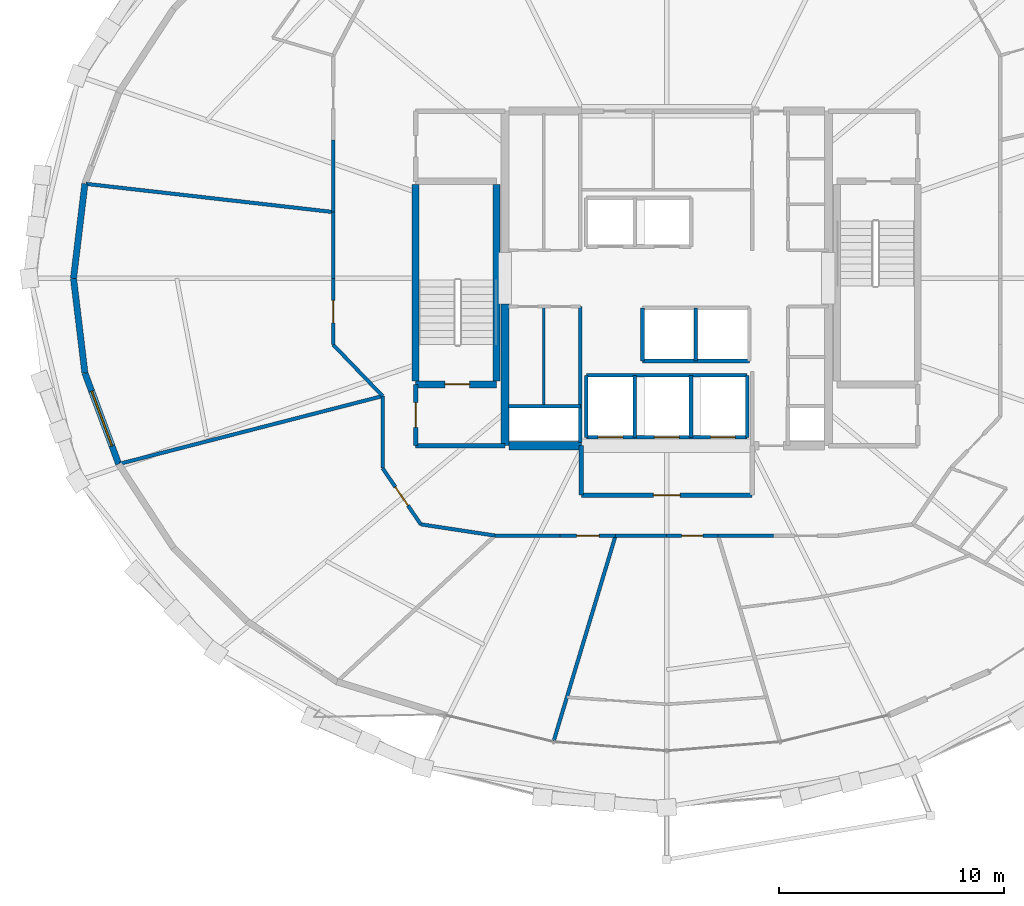
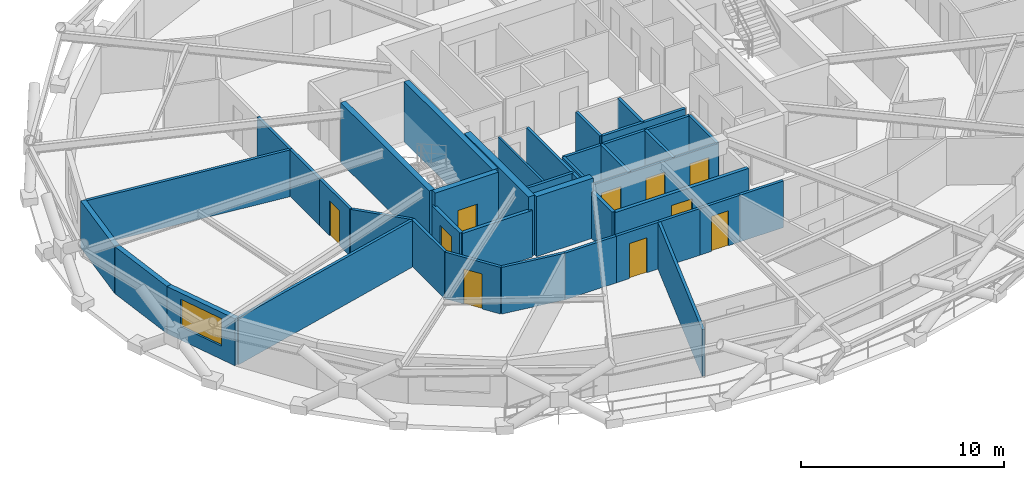
# One storey, part 15 of 22: 39 walls, 10 doors, 1 window, 11 openings.
"""IFC4 building model written with IfcOpenShell, lengths in metres."""

from ifc_helpers import new_model, si_unit, direction, frame, frame_2d, origin, place, context, subcontext, project, spatial, rectangle, extrude, material, layer, layer_set, type_object, element, fill, save


model = new_model("IFC4")

# Units and contexts
model_context = context("Model", 3, precision=1e-05, world=origin(), true_north=direction((0.0, 1.0)))
body_context = subcontext(model_context, "Body", "Model", "MODEL_VIEW")
ifc_project = project(units=[si_unit("LENGTHUNIT", "METRE"), si_unit("AREAUNIT", "SQUARE_METRE"), si_unit("VOLUMEUNIT", "CUBIC_METRE"), si_unit("PLANEANGLEUNIT", "RADIAN"), si_unit("MASSUNIT", "GRAM", prefix="KILO")], contexts=[model_context])

# Site, building, storey
site_placement = place(None, origin())
site = spatial("IfcSite", under=ifc_project, at=site_placement, CompositionType="ELEMENT")
building_placement = place(site_placement, origin())
building = spatial("IfcBuilding", under=site, at=building_placement, Name="Veldorina Hangang Commons", CompositionType="ELEMENT")
storey_placement = place(building_placement, frame((0.0, 0.0, 146.0)))
storey = spatial("IfcBuildingStorey", under=building, at=storey_placement, Name="L37", CompositionType="ELEMENT", Elevation=146.0)

# Walls
ifc_material_1 = material(Name="Concrete C60/75", Category="concrete")
ifc_layer_1 = layer(ifc_material_1, 0.360107421875)
ifc_layer_set_1 = layer_set([ifc_layer_1], Name="Concrete C60/75")
wall_type_1 = type_object("IfcWallType", Name="CW-RC360-C60", PredefinedType="SHEAR", material=ifc_layer_set_1)
wall_1_placement = place(storey_placement, frame((24.800048828125, 16.550048828125, 0.0), z_axis=(0.0, 0.0, 1.0), x_axis=(0.0, 1.0, 0.0)))
element("IfcWall", 1, at=wall_1_placement, inside=storey, type_object=wall_type_1, Name="L37 W south core shear wall", PredefinedType="SHEAR", context=body_context, shape_type="SweptSolid", body=[
    extrude(rectangle(XDim=6.300048828125, YDim=0.360107421875, at=frame_2d((3.14990234375, 0.0))), origin(), (0.0, 0.0, 1.0), 3.60009765625),
])
wall_2_placement = place(storey_placement, frame((24.97998046875, 16.550048828125, 0.0), z_axis=(0.0, 0.0, 1.0), x_axis=(1.0, 0.0, 0.0)))
element("IfcWall", 2, at=wall_2_placement, inside=storey, type_object=wall_type_1, Name="L37 south-west core shear wall", PredefinedType="SHEAR", context=body_context, shape_type="SweptSolid", body=[
    extrude(rectangle(XDim=3.219970703125, YDim=0.360107421875, at=frame_2d((1.60986328125, 0.0))), origin(), (0.0, 0.0, 1.0), 3.60009765625),
])
ifc_material_2 = material(Name="Stone Roman Travertine", Category="masonry")
ifc_layer_2 = layer(ifc_material_2, 0.280029296875)
ifc_layer_set_2 = layer_set([ifc_layer_2], Name="Stone Roman Travertine")
wall_type_2 = type_object("IfcWallType", Name="EW-TRAV-280", PredefinedType="STANDARD", material=ifc_layer_set_2)
for number, where, z_axis, x_axis, name in (
    (3, (6.096923828125, 28.2138671875, 0.0), (0.0, 0.0, 1.0), (-0.119530808936, -0.992830491935, 0.0), "L37 travertine facade wall 15"),
    (4, (5.589599609375, 24.0, 0.0), (0.0, 0.0, 1.0), (0.119530808936, -0.992830491935, 0.0), "L37 travertine facade wall 16"),
):
    element("IfcWall", number, at=place(storey_placement, frame(where, z_axis=z_axis, x_axis=x_axis)), inside=storey, type_object=wall_type_2, Name=name, PredefinedType="STANDARD", context=body_context, shape_type="SweptSolid", body=[
        extrude(rectangle(XDim=4.244384765625, YDim=0.280029296875, at=frame_2d((2.1220703125, 0.0))), origin(), (0.0, 0.0, 1.0), 2.820068359375),
    ])

# Wall, opening, window
wall_3_placement = place(storey_placement, frame((6.096923828125, 19.7861328125, 0.0), z_axis=(0.0, 0.0, 1.0), x_axis=(0.347777987911, -0.937576914778, 0.0)))
wall_3 = element("IfcWall", 5, at=wall_3_placement, inside=storey, type_object=wall_type_2, Name="L37 travertine facade wall 17", PredefinedType="STANDARD", context=body_context, shape_type="SweptSolid", body=[
    extrude(rectangle(XDim=4.321533203125, YDim=0.280029296875, at=frame_2d((2.16064453125, 0.0))), origin(), (0.0, 0.0, 1.0), 2.820068359375),
])
opening_1_placement = place(wall_3_placement, frame((0.86083984375, 0.0, 0.800048828125)))
opening_1 = element("IfcOpeningElement", 6, at=opening_1_placement, cuts=wall_3, Name="Opening W-02", PredefinedType="OPENING", context=body_context, shape_type="SweptSolid", body=[
    extrude(rectangle(XDim=2.60009765625, YDim=1.64990234375, at=frame_2d((1.300048828125, 0.824951171875))), frame((0.0, 0.14990234375, 0.0), z_axis=(0.0, -1.0, 0.0), x_axis=(1.0, 0.0, 0.0)), (0.0, 0.0, 1.0), 0.300048828125),
])
ifc_material_3 = material(Name="Glass Low-E Triple IGU", Category="glass")
window_type = type_object("IfcWindowType", Name="WIN-TWR-2600", PartitioningType="SINGLE_PANEL", PredefinedType="WINDOW", material=ifc_material_3)
window_placement = place(opening_1_placement, origin())
window = element("IfcWindow", 7, at=window_placement, inside=storey, type_object=window_type, Name="L37 facade window 17", OverallHeight=1.64990234375, OverallWidth=2.60009765625, PartitioningType="SINGLE_PANEL", PredefinedType="WINDOW", context=body_context, shape_type="SweptSolid", body=[
    extrude(rectangle(XDim=2.60009765625, YDim=1.64990234375, at=frame_2d((1.300048828125, 0.824951171875))), frame((0.0, 0.030029296875, 0.0), z_axis=(0.0, -1.0, 0.0), x_axis=(1.0, 0.0, 0.0)), (0.0, 0.0, 1.0), 0.06005859375),
])
fill(opening_1, window)

# Walls
ifc_material_4 = material(Name="Concrete C50/60", Category="concrete")
ifc_layer_3 = layer(ifc_material_4, 0.300048828125)
ifc_layer_set_3 = layer_set([ifc_layer_3], Name="Concrete C50/60")
wall_type_3 = type_object("IfcWallType", Name="SW-STAIR-300", PredefinedType="SHEAR", material=ifc_layer_set_3)
for number, where, z_axis, x_axis, name in (
    (8, (20.820068359375, 19.429931640625, 0.0), (0.0, 0.0, 1.0), (0.0, 1.0, 0.0), "L37 ST1 outer stair shear wall"),
    (9, (24.419921875, 19.429931640625, 0.0), (0.0, 0.0, 1.0), (0.0, 1.0, 0.0), "L37 ST1 inner stair shear wall"),
):
    element("IfcWall", number, at=place(storey_placement, frame(where, z_axis=z_axis, x_axis=x_axis)), inside=storey, type_object=wall_type_3, Name=name, PredefinedType="SHEAR", context=body_context, shape_type="SweptSolid", body=[
        extrude(rectangle(XDim=8.739990234375, YDim=0.300048828125, at=frame_2d((4.3701171875, 0.0))), origin(), (0.0, 0.0, 1.0), 3.60009765625),
    ])

# Wall, opening, door
wall_4_placement = place(storey_placement, frame((20.820068359375, 19.280029296875, 0.0), z_axis=(0.0, 0.0, 1.0), x_axis=(1.0, 0.0, 0.0)))
wall_4 = element("IfcWall", 10, at=wall_4_placement, inside=storey, type_object=wall_type_3, Name="L37 ST1 south stair shear wall", PredefinedType="SHEAR", context=body_context, shape_type="SweptSolid", body=[
    extrude(rectangle(XDim=3.599853515625, YDim=0.300048828125, at=frame_2d((1.7998046875, 0.0))), origin(), (0.0, 0.0, 1.0), 3.60009765625),
])
opening_2_placement = place(wall_4_placement, frame((1.300048828125, 0.0, 0.0)))
opening_2 = element("IfcOpeningElement", 11, at=opening_2_placement, cuts=wall_4, Name="Opening D-08", PredefinedType="OPENING", context=body_context, shape_type="SweptSolid", body=[
    extrude(rectangle(XDim=1.10009765625, YDim=2.10009765625, at=frame_2d((0.550048828125, 1.050048828125))), frame((0.0, 0.16015625, 0.0), z_axis=(0.0, -1.0, 0.0), x_axis=(1.0, 0.0, 0.0)), (0.0, 0.0, 1.0), 0.320068359375),
])
ifc_material_5 = material(Name="Steel Fire-Rated Smoke Seal", Category="steel")
door_type_1 = type_object("IfcDoorType", Name="DR-FIRE-1100", OperationType="SINGLE_SWING_RIGHT", PredefinedType="DOOR", material=ifc_material_5)
door_1_placement = place(opening_2_placement, origin())
door_1 = element("IfcDoor", 12, at=door_1_placement, inside=storey, type_object=door_type_1, Name="L37 Special Escape Stair ST-1 door", OperationType="SINGLE_SWING_LEFT", OverallHeight=2.10009765625, OverallWidth=1.10009765625, PredefinedType="DOOR", context=body_context, shape_type="SweptSolid", body=[
    extrude(rectangle(XDim=1.10009765625, YDim=2.10009765625, at=frame_2d((0.550048828125, 1.050048828125))), frame((0.0, 0.02490234375, 0.0), z_axis=(0.0, -1.0, 0.0), x_axis=(1.0, 0.0, 0.0)), (0.0, 0.0, 1.0), 0.050048828125),
])
fill(opening_2, door_1)

# Walls
ifc_material_6 = material(Name="Gypsum Fire-Rated Twin Stud Wall", Category="gypsum")
ifc_layer_4 = layer(ifc_material_6, 0.159912109375)
ifc_layer_set_4 = layer_set([ifc_layer_4], Name="Gypsum Fire-Rated Twin Stud Wall")
wall_type_4 = type_object("IfcWallType", Name="WL-FIRE-160", PredefinedType="SOLIDWALL", material=ifc_layer_set_4)
wall_5_placement = place(storey_placement, frame((30.919921875, 20.320068359375, 0.0), z_axis=(0.0, 0.0, 1.0), x_axis=(1.0, 0.0, 0.0)))
element("IfcWall", 13, at=wall_5_placement, inside=storey, type_object=wall_type_4, Name="L37 Shuttle-high rear shaft wall 021", PredefinedType="SOLIDWALL", context=body_context, shape_type="SweptSolid", body=[
    extrude(rectangle(XDim=4.760009765625, YDim=0.159912109375, at=frame_2d((2.3798828125, 0.0))), origin(), (0.0, 0.0, 1.0), 2.800048828125),
])
for number, where, z_axis, x_axis, name in (
    (14, (30.919921875, 20.320068359375, 0.0), (0.0, 0.0, 1.0), (0.0, 1.0, 0.0), "L37 SL-1 west shaft wall 022"),
    (15, (33.300048828125, 20.320068359375, 0.0), (0.0, 0.0, 1.0), (0.0, 1.0, 0.0), "L37 SL-1 east shaft wall 023"),
):
    element("IfcWall", number, at=place(storey_placement, frame(where, z_axis=z_axis, x_axis=x_axis)), inside=storey, type_object=wall_type_4, Name=name, PredefinedType="SOLIDWALL", context=body_context, shape_type="SweptSolid", body=[
        extrude(rectangle(XDim=2.35986328125, YDim=0.159912109375, at=frame_2d((1.179931640625, 0.0))), origin(), (0.0, 0.0, 1.0), 2.800048828125),
    ])

# Wall, openings, doors
wall_6_placement = place(storey_placement, frame((28.419921875, 16.919921875, 0.0), z_axis=(0.0, 0.0, 1.0), x_axis=(1.0, 0.0, 0.0)))
wall_6 = element("IfcWall", 16, at=wall_6_placement, inside=storey, type_object=wall_type_4, Name="L37 Emergency front shaft wall 025", PredefinedType="SOLIDWALL", context=body_context, shape_type="SweptSolid", body=[
    extrude(rectangle(XDim=7.16015625, YDim=0.159912109375, at=frame_2d((3.580078125, 0.0))), origin(), (0.0, 0.0, 1.0), 2.800048828125),
])
opening_3_placement = place(wall_6_placement, frame((0.530029296875, 0.0, 0.0)))
opening_3 = element("IfcOpeningElement", 17, at=opening_3_placement, cuts=wall_6, Name="Opening LD-03", PredefinedType="OPENING", context=body_context, shape_type="SweptSolid", body=[
    extrude(rectangle(XDim=1.10009765625, YDim=2.14990234375, at=frame_2d((0.550048828125, 1.074951171875))), frame((0.0, 0.08984375, 0.0), z_axis=(0.0, -1.0, 0.0), x_axis=(1.0, 0.0, 0.0)), (0.0, 0.0, 1.0), 0.179931640625),
])
opening_4_placement = place(wall_6_placement, frame((3.030029296875, 0.0, 0.0)))
opening_4 = element("IfcOpeningElement", 18, at=opening_4_placement, cuts=wall_6, Name="Opening LD-03", PredefinedType="OPENING", context=body_context, shape_type="SweptSolid", body=[
    extrude(rectangle(XDim=1.10009765625, YDim=2.14990234375, at=frame_2d((0.550048828125, 1.074951171875))), frame((0.0, 0.08984375, 0.0), z_axis=(0.0, -1.0, 0.0), x_axis=(1.0, 0.0, 0.0)), (0.0, 0.0, 1.0), 0.179931640625),
])
opening_5_placement = place(wall_6_placement, frame((5.530029296875, 0.0, 0.0)))
opening_5 = element("IfcOpeningElement", 19, at=opening_5_placement, cuts=wall_6, Name="Opening LD-03", PredefinedType="OPENING", context=body_context, shape_type="SweptSolid", body=[
    extrude(rectangle(XDim=1.10009765625, YDim=2.14990234375, at=frame_2d((0.550048828125, 1.074951171875))), frame((0.0, 0.08984375, 0.0), z_axis=(0.0, -1.0, 0.0), x_axis=(1.0, 0.0, 0.0)), (0.0, 0.0, 1.0), 0.179931640625),
])
ifc_material_7 = material(Name="Stainless Steel Firefighting Lift Door", Category="steel")
door_type_2 = type_object("IfcDoorType", Name="DR-LIFT-FF1100", OperationType="SLIDING_TO_RIGHT", PredefinedType="DOOR", material=ifc_material_7)
door_2_placement = place(opening_3_placement, origin())
door_2 = element("IfcDoor", 20, at=door_2_placement, inside=storey, type_object=door_type_2, Name="L37 Emergency lift FFL-1 landing door 008", OperationType="SLIDING_TO_RIGHT", OverallHeight=2.14990234375, OverallWidth=1.10009765625, PredefinedType="DOOR", context=body_context, shape_type="SweptSolid", body=[
    extrude(rectangle(XDim=1.10009765625, YDim=2.14990234375, at=frame_2d((0.550048828125, 1.074951171875))), frame((0.0, 0.02490234375, 0.0), z_axis=(0.0, -1.0, 0.0), x_axis=(1.0, 0.0, 0.0)), (0.0, 0.0, 1.0), 0.050048828125),
])
fill(opening_3, door_2)
door_3_placement = place(opening_4_placement, origin())
door_3 = element("IfcDoor", 21, at=door_3_placement, inside=storey, type_object=door_type_2, Name="L37 Emergency lift FFL-2 landing door 009", OperationType="SLIDING_TO_RIGHT", OverallHeight=2.14990234375, OverallWidth=1.10009765625, PredefinedType="DOOR", context=body_context, shape_type="SweptSolid", body=[
    extrude(rectangle(XDim=1.10009765625, YDim=2.14990234375, at=frame_2d((0.550048828125, 1.074951171875))), frame((0.0, 0.02490234375, 0.0), z_axis=(0.0, -1.0, 0.0), x_axis=(1.0, 0.0, 0.0)), (0.0, 0.0, 1.0), 0.050048828125),
])
fill(opening_4, door_3)
door_4_placement = place(opening_5_placement, origin())
door_4 = element("IfcDoor", 22, at=door_4_placement, inside=storey, type_object=door_type_2, Name="L37 Emergency lift EVL-1 landing door 010", OperationType="SLIDING_TO_RIGHT", OverallHeight=2.14990234375, OverallWidth=1.10009765625, PredefinedType="DOOR", context=body_context, shape_type="SweptSolid", body=[
    extrude(rectangle(XDim=1.10009765625, YDim=2.14990234375, at=frame_2d((0.550048828125, 1.074951171875))), frame((0.0, 0.02490234375, 0.0), z_axis=(0.0, -1.0, 0.0), x_axis=(1.0, 0.0, 0.0)), (0.0, 0.0, 1.0), 0.050048828125),
])
fill(opening_5, door_4)

# Walls
wall_7_placement = place(storey_placement, frame((28.419921875, 19.679931640625, 0.0), z_axis=(0.0, 0.0, 1.0), x_axis=(1.0, 0.0, 0.0)))
element("IfcWall", 23, at=wall_7_placement, inside=storey, type_object=wall_type_4, Name="L37 Emergency rear shaft wall 026", PredefinedType="SOLIDWALL", context=body_context, shape_type="SweptSolid", body=[
    extrude(rectangle(XDim=7.16015625, YDim=0.159912109375, at=frame_2d((3.580078125, 0.0))), origin(), (0.0, 0.0, 1.0), 2.800048828125),
])
for number, where, z_axis, x_axis, name in (
    (24, (28.419921875, 16.919921875, 0.0), (0.0, 0.0, 1.0), (0.0, 1.0, 0.0), "L37 FFL-1 west shaft wall 027"),
    (25, (30.580078125, 16.919921875, 0.0), (0.0, 0.0, 1.0), (0.0, 1.0, 0.0), "L37 FFL-1 east shaft wall 028"),
    (26, (33.080078125, 16.919921875, 0.0), (0.0, 0.0, 1.0), (0.0, 1.0, 0.0), "L37 FFL-2 east shaft wall 029"),
    (27, (35.580078125, 16.919921875, 0.0), (0.0, 0.0, 1.0), (0.0, 1.0, 0.0), "L37 EVL-1 east shaft wall 030"),
):
    element("IfcWall", number, at=place(storey_placement, frame(where, z_axis=z_axis, x_axis=x_axis)), inside=storey, type_object=wall_type_4, Name=name, PredefinedType="SOLIDWALL", context=body_context, shape_type="SweptSolid", body=[
        extrude(rectangle(XDim=2.760009765625, YDim=0.159912109375, at=frame_2d((1.3798828125, 0.0))), origin(), (0.0, 0.0, 1.0), 2.800048828125),
    ])
wall_8_placement = place(storey_placement, frame((24.949951171875, 18.300048828125, 0.0), z_axis=(0.0, 0.0, 1.0), x_axis=(1.0, 0.0, 0.0)))
element("IfcWall", 28, at=wall_8_placement, inside=storey, type_object=wall_type_4, Name="L37 Electrical riser wall 035", PredefinedType="SOLIDWALL", context=body_context, shape_type="SweptSolid", body=[
    extrude(rectangle(XDim=3.199951171875, YDim=0.159912109375, at=frame_2d((1.60009765625, 0.0))), origin(), (0.0, 0.0, 1.0), 2.800048828125),
])
wall_9_placement = place(storey_placement, frame((28.14990234375, 16.699951171875, 0.0), z_axis=(0.0, 0.0, 1.0), x_axis=(0.0, 1.0, 0.0)))
element("IfcWall", 29, at=wall_9_placement, inside=storey, type_object=wall_type_4, Name="L37 SW core inner wall 036", PredefinedType="SOLIDWALL", context=body_context, shape_type="SweptSolid", body=[
    extrude(rectangle(XDim=6.050048828125, YDim=0.159912109375, at=frame_2d((3.02490234375, 0.0))), origin(), (0.0, 0.0, 1.0), 2.800048828125),
])
wall_10_placement = place(storey_placement, frame((17.14990234375, 30.151123046875, 0.0), z_axis=(0.0, 0.0, 1.0), x_axis=(0.0, -1.0, 0.0)))
element("IfcWall", 30, at=wall_10_placement, inside=storey, type_object=wall_type_4, Name="L37 U-corridor outer wall 14 064", PredefinedType="SOLIDWALL", context=body_context, shape_type="SweptSolid", body=[
    extrude(rectangle(XDim=3.197265625, YDim=0.159912109375, at=frame_2d((1.5986328125, 0.0))), origin(), (0.0, 0.0, 1.0), 2.800048828125),
])
wall_11_placement = place(storey_placement, frame((17.14990234375, 26.953857421875, 0.0), z_axis=(0.0, 0.0, 1.0), x_axis=(0.0, -1.0, 0.0)))
element("IfcWall", 31, at=wall_11_placement, inside=storey, type_object=wall_type_4, Name="L37 U-corridor outer wall 15 065", PredefinedType="SOLIDWALL", context=body_context, shape_type="SweptSolid", body=[
    extrude(rectangle(XDim=2.953857421875, YDim=0.159912109375, at=frame_2d((1.47705078125, 0.0))), origin(), (0.0, 0.0, 1.0), 2.800048828125),
])

# Wall, opening, door
wall_12_placement = place(storey_placement, frame((17.14990234375, 24.0, 0.0), z_axis=(0.0, 0.0, 1.0), x_axis=(0.0, -1.0, 0.0)))
wall_12 = element("IfcWall", 32, at=wall_12_placement, inside=storey, type_object=wall_type_4, Name="L37 U-corridor outer wall 16 066", PredefinedType="SOLIDWALL", context=body_context, shape_type="SweptSolid", body=[
    extrude(rectangle(XDim=2.953857421875, YDim=0.159912109375, at=frame_2d((1.47705078125, 0.0))), origin(), (0.0, 0.0, 1.0), 2.800048828125),
])
opening_6_placement = place(wall_12_placement, frame((0.976806640625, 0.0, 0.0)))
opening_6 = element("IfcOpeningElement", 33, at=opening_6_placement, cuts=wall_12, Name="Opening D-05", PredefinedType="OPENING", context=body_context, shape_type="SweptSolid", body=[
    extrude(rectangle(XDim=1.0, YDim=2.10009765625, at=frame_2d((0.5, 1.050048828125))), frame((0.0, 0.08984375, 0.0), z_axis=(0.0, -1.0, 0.0), x_axis=(1.0, 0.0, 0.0)), (0.0, 0.0, 1.0), 0.179931640625),
])
ifc_material_8 = material(Name="Timber Solid Core Acoustic", Category="wood")
door_type_3 = type_object("IfcDoorType", Name="DR-INT-1000", OperationType="SINGLE_SWING_RIGHT", PredefinedType="DOOR", material=ifc_material_8)
door_5_placement = place(opening_6_placement, origin())
door_5 = element("IfcDoor", 34, at=door_5_placement, inside=storey, type_object=door_type_3, Name="L37 Floor Study Room 7 door 043", OperationType="SINGLE_SWING_LEFT", OverallHeight=2.10009765625, OverallWidth=1.0, PredefinedType="DOOR", context=body_context, shape_type="SweptSolid", body=[
    extrude(rectangle(XDim=1.0, YDim=2.10009765625, at=frame_2d((0.5, 1.050048828125))), frame((0.0, 0.02490234375, 0.0), z_axis=(0.0, -1.0, 0.0), x_axis=(1.0, 0.0, 0.0)), (0.0, 0.0, 1.0), 0.050048828125),
])
fill(opening_6, door_5)

# Walls
wall_13_placement = place(storey_placement, frame((17.14990234375, 21.046142578125, 0.0), z_axis=(0.0, 0.0, 1.0), x_axis=(0.693473090138, -0.72048252807, 0.0)))
element("IfcWall", 35, at=wall_13_placement, inside=storey, type_object=wall_type_4, Name="L37 U-corridor outer wall 17 067", PredefinedType="SOLIDWALL", context=body_context, shape_type="SweptSolid", body=[
    extrude(rectangle(XDim=3.172607421875, YDim=0.159912109375, at=frame_2d((1.58642578125, 0.0))), origin(), (0.0, 0.0, 1.0), 2.800048828125),
])
wall_14_placement = place(storey_placement, frame((19.35009765625, 18.76025390625, 0.0), z_axis=(0.0, 0.0, 1.0), x_axis=(0.0, -1.0, 0.0)))
element("IfcWall", 36, at=wall_14_placement, inside=storey, type_object=wall_type_4, Name="L37 U-corridor outer wall 18 068", PredefinedType="SOLIDWALL", context=body_context, shape_type="SweptSolid", body=[
    extrude(rectangle(XDim=3.212646484375, YDim=0.159912109375, at=frame_2d((1.6064453125, 0.0))), origin(), (0.0, 0.0, 1.0), 2.800048828125),
])

# Wall, opening, door
wall_15_placement = place(storey_placement, frame((19.35009765625, 15.547607421875, 0.0), z_axis=(0.0, 0.0, 1.0), x_axis=(0.562674669208, -0.826678423955, 0.0)))
wall_15 = element("IfcWall", 37, at=wall_15_placement, inside=storey, type_object=wall_type_4, Name="L37 U-corridor outer wall 19 069", PredefinedType="SOLIDWALL", context=body_context, shape_type="SweptSolid", body=[
    extrude(rectangle(XDim=3.021240234375, YDim=0.159912109375, at=frame_2d((1.5107421875, 0.0))), origin(), (0.0, 0.0, 1.0), 2.800048828125),
])
opening_7_placement = place(wall_15_placement, frame((1.010498046875, 0.0, 0.0)))
opening_7 = element("IfcOpeningElement", 38, at=opening_7_placement, cuts=wall_15, Name="Opening D-05", PredefinedType="OPENING", context=body_context, shape_type="SweptSolid", body=[
    extrude(rectangle(XDim=1.0, YDim=2.10009765625, at=frame_2d((0.5, 1.050048828125))), frame((0.0, 0.08984375, 0.0), z_axis=(0.0, -1.0, 0.0), x_axis=(1.0, 0.0, 0.0)), (0.0, 0.0, 1.0), 0.179931640625),
])
door_6_placement = place(opening_7_placement, origin())
door_6 = element("IfcDoor", 39, at=door_6_placement, inside=storey, type_object=door_type_3, Name="L37 Seminar Focus Room 8 door 044", OperationType="SINGLE_SWING_RIGHT", OverallHeight=2.10009765625, OverallWidth=1.0, PredefinedType="DOOR", context=body_context, shape_type="SweptSolid", body=[
    extrude(rectangle(XDim=1.0, YDim=2.10009765625, at=frame_2d((0.5, 1.050048828125))), frame((0.0, 0.02490234375, 0.0), z_axis=(0.0, -1.0, 0.0), x_axis=(1.0, 0.0, 0.0)), (0.0, 0.0, 1.0), 0.050048828125),
])
fill(opening_7, door_6)

# Walls
wall_16_placement = place(storey_placement, frame((21.050048828125, 13.050048828125, 0.0), z_axis=(0.0, 0.0, 1.0), x_axis=(0.988710906508, -0.149835721217, 0.0)))
element("IfcWall", 40, at=wall_16_placement, inside=storey, type_object=wall_type_4, Name="L37 U-corridor outer wall 20 070", PredefinedType="SOLIDWALL", context=body_context, shape_type="SweptSolid", body=[
    extrude(rectangle(XDim=3.3369140625, YDim=0.159912109375, at=frame_2d((1.66845703125, 0.0))), origin(), (0.0, 0.0, 1.0), 2.800048828125),
])
wall_17_placement = place(storey_placement, frame((24.349365234375, 12.550048828125, 0.0), z_axis=(0.0, 0.0, 1.0), x_axis=(1.0, 0.0, 0.0)))
element("IfcWall", 41, at=wall_17_placement, inside=storey, type_object=wall_type_4, Name="L37 U-corridor outer wall 21 071", PredefinedType="SOLIDWALL", context=body_context, shape_type="SweptSolid", body=[
    extrude(rectangle(XDim=2.907958984375, YDim=0.159912109375, at=frame_2d((1.4541015625, 0.0))), origin(), (0.0, 0.0, 1.0), 2.800048828125),
])

# Wall, opening, door
wall_18_placement = place(storey_placement, frame((27.25732421875, 12.550048828125, 0.0), z_axis=(0.0, 0.0, 1.0), x_axis=(1.0, 0.0, 0.0)))
wall_18 = element("IfcWall", 42, at=wall_18_placement, inside=storey, type_object=wall_type_4, Name="L37 U-corridor outer wall 22 072", PredefinedType="SOLIDWALL", context=body_context, shape_type="SweptSolid", body=[
    extrude(rectangle(XDim=2.465087890625, YDim=0.159912109375, at=frame_2d((1.232421875, 0.0))), origin(), (0.0, 0.0, 1.0), 2.800048828125),
])
opening_8_placement = place(wall_18_placement, frame((0.732666015625, 0.0, 0.0)))
opening_8 = element("IfcOpeningElement", 43, at=opening_8_placement, cuts=wall_18, Name="Opening D-05", PredefinedType="OPENING", context=body_context, shape_type="SweptSolid", body=[
    extrude(rectangle(XDim=1.0, YDim=2.10009765625, at=frame_2d((0.5, 1.050048828125))), frame((0.0, 0.08984375, 0.0), z_axis=(0.0, -1.0, 0.0), x_axis=(1.0, 0.0, 0.0)), (0.0, 0.0, 1.0), 0.179931640625),
])
door_7_placement = place(opening_8_placement, origin())
door_7 = element("IfcDoor", 44, at=door_7_placement, inside=storey, type_object=door_type_3, Name="L37 Seminar Focus Room 9 door 045", OperationType="SINGLE_SWING_LEFT", OverallHeight=2.10009765625, OverallWidth=1.0, PredefinedType="DOOR", context=body_context, shape_type="SweptSolid", body=[
    extrude(rectangle(XDim=1.0, YDim=2.10009765625, at=frame_2d((0.5, 1.050048828125))), frame((0.0, 0.02490234375, 0.0), z_axis=(0.0, -1.0, 0.0), x_axis=(1.0, 0.0, 0.0)), (0.0, 0.0, 1.0), 0.050048828125),
])
fill(opening_8, door_7)

# Wall
wall_19_placement = place(storey_placement, frame((29.722412109375, 12.550048828125, 0.0), z_axis=(0.0, 0.0, 1.0), x_axis=(1.0, 0.0, 0.0)))
element("IfcWall", 45, at=wall_19_placement, inside=storey, type_object=wall_type_4, Name="L37 U-corridor outer wall 23 073", PredefinedType="SOLIDWALL", context=body_context, shape_type="SweptSolid", body=[
    extrude(rectangle(XDim=2.277587890625, YDim=0.159912109375, at=frame_2d((1.138671875, 0.0))), origin(), (0.0, 0.0, 1.0), 2.800048828125),
])

# Wall, opening, door
wall_20_placement = place(storey_placement, frame((32.0, 12.550048828125, 0.0), z_axis=(0.0, 0.0, 1.0), x_axis=(1.0, 0.0, 0.0)))
wall_20 = element("IfcWall", 46, at=wall_20_placement, inside=storey, type_object=wall_type_4, Name="L37 U-corridor outer wall 24 074", PredefinedType="SOLIDWALL", context=body_context, shape_type="SweptSolid", body=[
    extrude(rectangle(XDim=2.277587890625, YDim=0.159912109375, at=frame_2d((1.138671875, 0.0))), origin(), (0.0, 0.0, 1.0), 2.800048828125),
])
opening_9_placement = place(wall_20_placement, frame((0.663818359375, 0.0, 0.0)))
opening_9 = element("IfcOpeningElement", 47, at=opening_9_placement, cuts=wall_20, Name="Opening D-02", PredefinedType="OPENING", context=body_context, shape_type="SweptSolid", body=[
    extrude(rectangle(XDim=0.949951171875, YDim=2.10009765625, at=frame_2d((0.47509765625, 1.050048828125))), frame((0.0, 0.08984375, 0.0), z_axis=(0.0, -1.0, 0.0), x_axis=(1.0, 0.0, 0.0)), (0.0, 0.0, 1.0), 0.179931640625),
])
door_type_4 = type_object("IfcDoorType", Name="DR-INT-950", OperationType="SINGLE_SWING_LEFT", PredefinedType="DOOR", material=ifc_material_8)
door_8_placement = place(opening_9_placement, origin())
door_8 = element("IfcDoor", 48, at=door_8_placement, inside=storey, type_object=door_type_4, Name="L37 Linen drying store door 046", OperationType="SINGLE_SWING_RIGHT", OverallHeight=2.10009765625, OverallWidth=0.949951171875, PredefinedType="DOOR", context=body_context, shape_type="SweptSolid", body=[
    extrude(rectangle(XDim=0.949951171875, YDim=2.10009765625, at=frame_2d((0.47509765625, 1.050048828125))), frame((0.0, 0.02490234375, 0.0), z_axis=(0.0, -1.0, 0.0), x_axis=(1.0, 0.0, 0.0)), (0.0, 0.0, 1.0), 0.050048828125),
])
fill(opening_9, door_8)

# Walls
wall_21_placement = place(storey_placement, frame((34.277587890625, 12.550048828125, 0.0), z_axis=(0.0, 0.0, 1.0), x_axis=(1.0, 0.0, 0.0)))
element("IfcWall", 49, at=wall_21_placement, inside=storey, type_object=wall_type_4, Name="L37 U-corridor outer wall 25 075", PredefinedType="SOLIDWALL", context=body_context, shape_type="SweptSolid", body=[
    extrude(rectangle(XDim=2.465087890625, YDim=0.159912109375, at=frame_2d((1.232421875, 0.0))), origin(), (0.0, 0.0, 1.0), 2.800048828125),
])
wall_22_placement = place(storey_placement, frame((17.14990234375, 26.953857421875, 0.0), z_axis=(0.0, 0.0, 1.0), x_axis=(-0.993566806102, 0.113247524528, 0.0)))
element("IfcWall", 50, at=wall_22_placement, inside=storey, type_object=wall_type_4, Name="L37 Unit party wall 15 117", PredefinedType="SOLIDWALL", context=body_context, shape_type="SweptSolid", body=[
    extrude(rectangle(XDim=11.074462890625, YDim=0.159912109375, at=frame_2d((5.537109375, 0.0))), origin(), (0.0, 0.0, 1.0), 2.800048828125),
])
wall_23_placement = place(storey_placement, frame((19.35009765625, 18.76025390625, 0.0), z_axis=(0.0, 0.0, 1.0), x_axis=(-0.968405713826, -0.249379978005, 0.0)))
element("IfcWall", 51, at=wall_23_placement, inside=storey, type_object=wall_type_4, Name="L37 Unit party wall 18 118", PredefinedType="SOLIDWALL", context=body_context, shape_type="SweptSolid", body=[
    extrude(rectangle(XDim=12.083740234375, YDim=0.159912109375, at=frame_2d((6.0419921875, 0.0))), origin(), (0.0, 0.0, 1.0), 2.800048828125),
])
wall_24_placement = place(storey_placement, frame((29.722412109375, 12.550048828125, 0.0), z_axis=(0.0, 0.0, 1.0), x_axis=(-0.28831479655, -0.9575356798, 0.0)))
element("IfcWall", 52, at=wall_24_placement, inside=storey, type_object=wall_type_4, Name="L37 Unit party wall 23 120", PredefinedType="SOLIDWALL", context=body_context, shape_type="SweptSolid", body=[
    extrude(rectangle(XDim=9.54248046875, YDim=0.159912109375, at=frame_2d((4.771240234375, 0.0))), origin(), (0.0, 0.0, 1.0), 2.800048828125),
])

# Wall, opening, door
ifc_material_9 = material(Name="Concrete Blockwork Fire Wall C30/37", Category="masonry")
ifc_layer_5 = layer(ifc_material_9, 0.199951171875)
ifc_layer_set_5 = layer_set([ifc_layer_5], Name="Concrete Blockwork Fire Wall C30/37")
wall_type_5 = type_object("IfcWallType", Name="WL-FIRE-200", PredefinedType="SOLIDWALL", material=ifc_layer_set_5)
wall_25_placement = place(storey_placement, frame((20.820068359375, 16.550048828125, 0.0), z_axis=(0.0, 0.0, 1.0), x_axis=(0.0, 1.0, 0.0)))
wall_25 = element("IfcWall", 53, at=wall_25_placement, inside=storey, type_object=wall_type_5, Name="L37 West vestibule outer wall 001", PredefinedType="SOLIDWALL", context=body_context, shape_type="SweptSolid", body=[
    extrude(rectangle(XDim=2.72998046875, YDim=0.199951171875, at=frame_2d((1.364990234375, 0.0))), origin(), (0.0, 0.0, 1.0), 2.800048828125),
])
opening_10_placement = place(wall_25_placement, frame((0.81494140625, 0.0, 0.0)))
opening_10 = element("IfcOpeningElement", 54, at=opening_10_placement, cuts=wall_25, Name="Opening D-08", PredefinedType="OPENING", context=body_context, shape_type="SweptSolid", body=[
    extrude(rectangle(XDim=1.10009765625, YDim=2.10009765625, at=frame_2d((0.550048828125, 1.050048828125))), frame((0.0, 0.10986328125, 0.0), z_axis=(0.0, -1.0, 0.0), x_axis=(1.0, 0.0, 0.0)), (0.0, 0.0, 1.0), 0.219970703125),
])
door_9_placement = place(opening_10_placement, origin())
door_9 = element("IfcDoor", 55, at=door_9_placement, inside=storey, type_object=door_type_1, Name="L37 West vestibule west door 001", OperationType="SINGLE_SWING_LEFT", OverallHeight=2.10009765625, OverallWidth=1.10009765625, PredefinedType="DOOR", context=body_context, shape_type="SweptSolid", body=[
    extrude(rectangle(XDim=1.10009765625, YDim=2.10009765625, at=frame_2d((0.550048828125, 1.050048828125))), frame((0.0, 0.02490234375, 0.0), z_axis=(0.0, -1.0, 0.0), x_axis=(1.0, 0.0, 0.0)), (0.0, 0.0, 1.0), 0.050048828125),
])
fill(opening_10, door_9)

# Walls
wall_26_placement = place(storey_placement, frame((20.820068359375, 16.550048828125, 0.0), z_axis=(0.0, 0.0, 1.0), x_axis=(1.0, 0.0, 0.0)))
element("IfcWall", 56, at=wall_26_placement, inside=storey, type_object=wall_type_5, Name="L37 West vestibule south wall 002", PredefinedType="SOLIDWALL", context=body_context, shape_type="SweptSolid", body=[
    extrude(rectangle(XDim=3.97998046875, YDim=0.199951171875, at=frame_2d((1.989990234375, 0.0))), origin(), (0.0, 0.0, 1.0), 2.800048828125),
])
wall_27_placement = place(storey_placement, frame((28.199951171875, 14.35009765625, 0.0), z_axis=(0.0, 0.0, 1.0), x_axis=(0.0, 1.0, 0.0)))
element("IfcWall", 57, at=wall_27_placement, inside=storey, type_object=wall_type_5, Name="L37 FF lobby west wall 012", PredefinedType="SOLIDWALL", context=body_context, shape_type="SweptSolid", body=[
    extrude(rectangle(XDim=2.199951171875, YDim=0.199951171875, at=frame_2d((1.10009765625, 0.0))), origin(), (0.0, 0.0, 1.0), 2.800048828125),
])

# Wall, opening, door
wall_28_placement = place(storey_placement, frame((28.199951171875, 14.35009765625, 0.0), z_axis=(0.0, 0.0, 1.0), x_axis=(1.0, 0.0, 0.0)))
wall_28 = element("IfcWall", 58, at=wall_28_placement, inside=storey, type_object=wall_type_5, Name="L37 FF lobby south wall 014", PredefinedType="SOLIDWALL", context=body_context, shape_type="SweptSolid", body=[
    extrude(rectangle(XDim=7.60009765625, YDim=0.199951171875, at=frame_2d((3.800048828125, 0.0))), origin(), (0.0, 0.0, 1.0), 2.800048828125),
])
opening_11_placement = place(wall_28_placement, frame((3.199951171875, 0.0, 0.0)))
opening_11 = element("IfcOpeningElement", 59, at=opening_11_placement, cuts=wall_28, Name="Opening D-09", PredefinedType="OPENING", context=body_context, shape_type="SweptSolid", body=[
    extrude(rectangle(XDim=1.199951171875, YDim=2.10009765625, at=frame_2d((0.60009765625, 1.050048828125))), frame((0.0, 0.10986328125, 0.0), z_axis=(0.0, -1.0, 0.0), x_axis=(1.0, 0.0, 0.0)), (0.0, 0.0, 1.0), 0.219970703125),
])
ifc_material_10 = material(Name="Steel Fire-Rated Corridor Door", Category="steel")
door_type_5 = type_object("IfcDoorType", Name="DR-FIRE-1200", OperationType="SINGLE_SWING_LEFT", PredefinedType="DOOR", material=ifc_material_10)
door_10_placement = place(opening_11_placement, origin())
door_10 = element("IfcDoor", 60, at=door_10_placement, inside=storey, type_object=door_type_5, Name="L37 FF lobby south corridor door 005", OperationType="SINGLE_SWING_LEFT", OverallHeight=2.10009765625, OverallWidth=1.199951171875, PredefinedType="DOOR", context=body_context, shape_type="SweptSolid", body=[
    extrude(rectangle(XDim=1.199951171875, YDim=2.10009765625, at=frame_2d((0.60009765625, 1.050048828125))), frame((0.0, 0.02490234375, 0.0), z_axis=(0.0, -1.0, 0.0), x_axis=(1.0, 0.0, 0.0)), (0.0, 0.0, 1.0), 0.050048828125),
])
fill(opening_11, door_10)

# Wall
ifc_material_11 = material(Name="Gypsum Acoustic Stud Partition", Category="gypsum")
ifc_layer_6 = layer(ifc_material_11, 0.1201171875)
ifc_layer_set_6 = layer_set([ifc_layer_6], Name="Gypsum Acoustic Stud Partition")
wall_type_6 = type_object("IfcWallType", Name="WL-PART-120", PredefinedType="PARTITIONING", material=ifc_layer_set_6)
wall_29_placement = place(storey_placement, frame((26.530029296875, 18.300048828125, 0.0), z_axis=(0.0, 0.0, 1.0), x_axis=(0.0, 1.0, 0.0)))
element("IfcWall", 61, at=wall_29_placement, inside=storey, type_object=wall_type_6, Name="L37 SW vertical split 046", PredefinedType="PARTITIONING", context=body_context, shape_type="SweptSolid", body=[
    extrude(rectangle(XDim=4.449951171875, YDim=0.1201171875, at=frame_2d((2.22509765625, 0.0))), origin(), (0.0, 0.0, 1.0), 2.800048828125),
])

save(model, "model.ifc")
